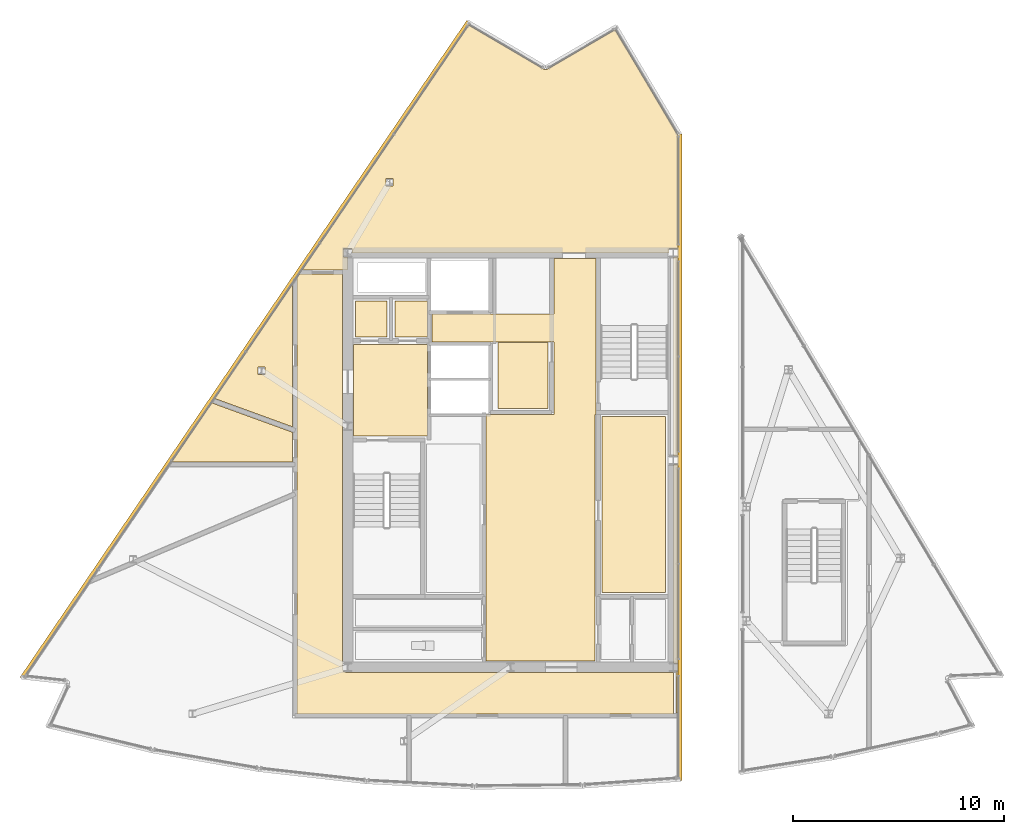
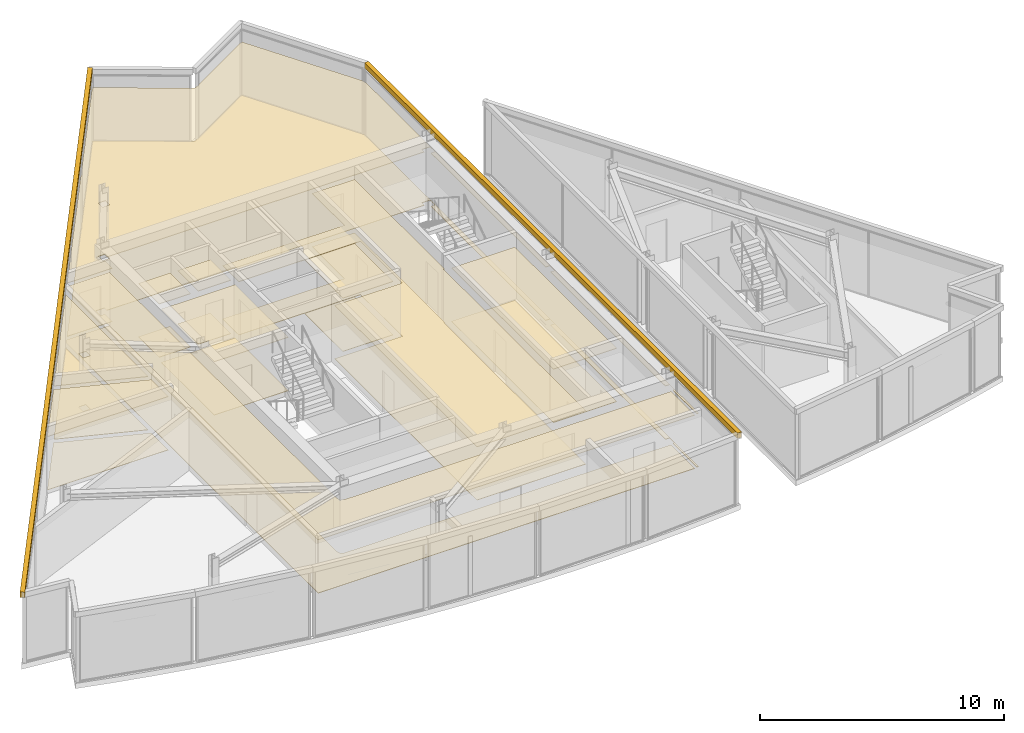
# One storey, part 12 of 15: 22 coverings.
"""IFC4 building model written with IfcOpenShell, lengths in metres."""

from ifc_helpers import new_model, si_unit, direction, frame, origin, place, context, subcontext, project, spatial, polyline, outline, extrude, material, layer, layer_set, type_object, element, save


model = new_model("IFC4")

# Units and contexts
model_context = context("Model", 3, precision=1e-05, world=origin(), true_north=direction((0.0, 1.0)))
body_context = subcontext(model_context, "Body", "Model", "MODEL_VIEW")
ifc_project = project(units=[si_unit("LENGTHUNIT", "METRE"), si_unit("AREAUNIT", "SQUARE_METRE"), si_unit("VOLUMEUNIT", "CUBIC_METRE"), si_unit("PLANEANGLEUNIT", "RADIAN"), si_unit("MASSUNIT", "GRAM", prefix="KILO")], contexts=[model_context])

# Site, building, storey
site_placement = place(None, origin())
site = spatial("IfcSite", under=ifc_project, at=site_placement, CompositionType="ELEMENT")
building_placement = place(site_placement, origin())
building = spatial("IfcBuilding", under=site, at=building_placement, Name="Savorim Split Tower", CompositionType="ELEMENT")
storey_placement = place(building_placement, frame((0.0, 0.0, 304.800048828125)))
storey = spatial("IfcBuildingStorey", under=building, at=storey_placement, Name="Crown L81 Plant", CompositionType="ELEMENT", Elevation=304.800048828125)

# Coverings
ifc_material_1 = material(Name="Mineral Fibre Acoustic Ceiling")
ifc_layer_1 = layer(ifc_material_1, 0.02490234375)
ifc_layer_set_1 = layer_set([ifc_layer_1], Name="COV-CEIL-25")
covering_type_1 = type_object("IfcCoveringType", Name="COV-CEIL-25", PredefinedType="CEILING", material=ifc_layer_set_1)
covering_1_placement = place(storey_placement, frame((0.0, 0.0, 2.659912109375)))
element("IfcCovering", 1, at=covering_1_placement, inside=storey, type_object=covering_type_1, Name="Crown L81 Plant Crown Stair Lobby Acoustic Ceiling", PredefinedType="CEILING", context=body_context, shape_type="SweptSolid", body=[
    extrude(outline(polyline([(-7.429931640625, 5.8701171875), (-7.429931640625, 1.530029296875), (-3.929931640625, 1.530029296875), (-3.929931640625, 5.8701171875), (-7.429931640625, 5.8701171875)])), origin(), (0.0, 0.0, 1.0), 0.025146484375),
])
covering_2_placement = place(storey_placement, frame((0.0, 0.0, 2.659912109375)))
element("IfcCovering", 2, at=covering_2_placement, inside=storey, type_object=covering_type_1, Name="Crown L81 Plant Electrical Riser Acoustic Ceiling", PredefinedType="CEILING", context=body_context, shape_type="SweptSolid", body=[
    extrude(outline(polyline([(-7.320068359375, 7.919921875), (-7.320068359375, 6.22998046875), (-5.830078125, 6.22998046875), (-5.830078125, 7.919921875), (-7.320068359375, 7.919921875)])), origin(), (0.0, 0.0, 1.0), 0.025146484375),
])
covering_3_placement = place(storey_placement, frame((0.0, 0.0, 2.659912109375)))
element("IfcCovering", 3, at=covering_3_placement, inside=storey, type_object=covering_type_1, Name="Crown L81 Plant Telecom Riser Acoustic Ceiling", PredefinedType="CEILING", context=body_context, shape_type="SweptSolid", body=[
    extrude(outline(polyline([(-5.469970703125, 7.919921875), (-5.469970703125, 6.22998046875), (-3.929931640625, 6.22998046875), (-3.929931640625, 7.919921875), (-5.469970703125, 7.919921875)])), origin(), (0.0, 0.0, 1.0), 0.025146484375),
])
covering_4_placement = place(storey_placement, frame((0.0, 0.0, 2.659912109375)))
element("IfcCovering", 4, at=covering_4_placement, inside=storey, type_object=covering_type_1, Name="Crown L81 Plant Lift Lobby Acoustic Ceiling", PredefinedType="CEILING", context=body_context, shape_type="SweptSolid", body=[
    extrude(outline(polyline([(2.050048828125, 2.550048828125), (-1.14990234375, 2.550048828125), (-1.14990234375, -9.10009765625), (4.0, -9.10009765625), (4.0, 2.550048828125), (4.050048828125, 2.550048828125), (4.050048828125, 5.97998046875), (4.050048828125, 7.300048828125), (4.050048828125, 9.929931640625), (2.050048828125, 9.929931640625), (2.050048828125, 7.300048828125), (-3.699951171875, 7.300048828125), (-3.699951171875, 5.97998046875), (2.050048828125, 5.97998046875), (2.050048828125, 2.550048828125)])), origin(), (0.0, 0.0, 1.0), 0.025146484375),
])
covering_5_placement = place(storey_placement, frame((0.0, 0.0, 2.659912109375)))
element("IfcCovering", 5, at=covering_5_placement, inside=storey, type_object=covering_type_1, Name="Crown L81 Plant Substructure Core Store East Acoustic Ceiling", PredefinedType="CEILING", context=body_context, shape_type="SweptSolid", body=[
    extrude(outline(polyline([(4.330078125, 2.469970703125), (4.330078125, -5.8701171875), (7.320068359375, -5.8701171875), (7.320068359375, 2.469970703125), (4.330078125, 2.469970703125)])), origin(), (0.0, 0.0, 1.0), 0.025146484375),
])
covering_6_placement = place(storey_placement, frame((0.0, 0.0, 2.659912109375)))
element("IfcCovering", 6, at=covering_6_placement, inside=storey, type_object=covering_type_1, Name="Crown L81 Plant Crown BMS Plant Room Acoustic Ceiling", PredefinedType="CEILING", context=body_context, shape_type="SweptSolid", body=[
    extrude(outline(polyline([(1.77001953125, 5.969970703125), (-0.60009765625, 5.969970703125), (-0.60009765625, 2.830078125), (1.77001953125, 2.830078125), (1.77001953125, 5.969970703125)])), origin(), (0.0, 0.0, 1.0), 0.025146484375),
])
covering_7_placement = place(storey_placement, frame((0.0, 0.0, 2.659912109375)))
element("IfcCovering", 7, at=covering_7_placement, inside=storey, type_object=covering_type_1, Name="Crown L81 Plant Plant Corridor Acoustic Ceiling", PredefinedType="CEILING", context=body_context, shape_type="SweptSolid", body=[
    extrude(outline(polyline([(-10.10009765625, -11.60009765625), (-7.699951171875, -11.60009765625), (7.699951171875, -11.60009765625), (7.699951171875, -9.64990234375), (-7.699951171875, -9.64990234375), (-7.724609375, -9.648681640625), (-7.748779296875, -9.645263671875), (-7.772705078125, -9.63916015625), (-7.795654296875, -9.631103515625), (-7.81787109375, -9.62060546875), (-7.8388671875, -9.60791015625), (-7.85498046875, -9.595947265625), (-7.89697265625, -9.595947265625), (-7.89697265625, -9.553466796875), (-7.907958984375, -9.538818359375), (-7.92041015625, -9.517822265625), (-7.930908203125, -9.49560546875), (-7.939208984375, -9.47265625), (-7.9453125, -9.44873046875), (-7.94873046875, -9.424560546875), (-7.949951171875, -9.39990234375), (-7.949951171875, 9.199951171875), (-9.97998046875, 9.199951171875), (-10.10009765625, 9.0234375), (-10.10009765625, -9.39990234375), (-10.10009765625, -11.60009765625)])), origin(), (0.0, 0.0, 1.0), 0.025146484375),
])
covering_8_placement = place(storey_placement, frame((0.0, 0.0, 2.659912109375)))
element("IfcCovering", 8, at=covering_8_placement, inside=storey, type_object=covering_type_1, Name="Crown L81 Plant Heat Recovery Plant Room Acoustic Ceiling", PredefinedType="CEILING", context=body_context, shape_type="SweptSolid", body=[
    extrude(outline(polyline([(1.600830078125, 18.873046875), (1.5888671875, 18.87939453125), (-1.9716796875, 20.971923828125), (-9.843994140625, 9.39990234375), (-7.699951171875, 9.39990234375), (-7.699951171875, 10.00390625), (-7.89697265625, 10.00390625), (-7.89697265625, 10.39599609375), (-7.5029296875, 10.39599609375), (-7.5029296875, 10.199951171875), (7.5029296875, 10.199951171875), (7.5029296875, 10.39599609375), (7.89697265625, 10.39599609375), (7.89697265625, 10.00390625), (7.699951171875, 10.00390625), (7.699951171875, 0.595947265625), (7.89697265625, 0.595947265625), (7.89697265625, 0.2041015625), (7.699951171875, 0.2041015625), (7.699951171875, -9.2041015625), (7.89697265625, -9.2041015625), (7.89697265625, -9.595947265625), (7.820068359375, -9.595947265625), (7.820068359375, -11.56005859375), (7.909912109375, -11.56005859375), (7.909912109375, 15.77392578125), (4.948486328125, 20.754638671875), (1.730224609375, 18.879150390625), (1.71826171875, 18.872802734375), (1.705810546875, 18.867919921875), (1.69287109375, 18.864013671875), (1.6796875, 18.861572265625), (1.666259765625, 18.8603515625), (1.65283203125, 18.8603515625), (1.639404296875, 18.861572265625), (1.626220703125, 18.8642578125), (1.61328125, 18.8681640625), (1.600830078125, 18.873046875)]), holes=[polyline([(-5.545166015625, 13.71728515625), (-5.875244140625, 13.71728515625), (-5.875244140625, 13.3671875), (-5.545166015625, 13.3671875), (-5.545166015625, 13.71728515625)])]), origin(), (0.0, 0.0, 1.0), 0.025146484375),
])
covering_9_placement = place(storey_placement, frame((0.0, 0.0, 2.659912109375)))
element("IfcCovering", 9, at=covering_9_placement, inside=storey, type_object=covering_type_1, Name="Crown L81 Plant HV Switchgear Plant Room Acoustic Ceiling", PredefinedType="CEILING", context=body_context, shape_type="SweptSolid", body=[
    extrude(outline(polyline([(-13.984130859375, 3.313720703125), (-10.300048828125, 1.971435546875), (-10.300048828125, 8.7294921875), (-13.984130859375, 3.313720703125)]), holes=[polyline([(-11.6103515625, 4.451904296875), (-11.6103515625, 4.8017578125), (-11.940185546875, 4.8017578125), (-11.940185546875, 4.451904296875), (-11.6103515625, 4.451904296875)])]), origin(), (0.0, 0.0, 1.0), 0.025146484375),
])
covering_10_placement = place(storey_placement, frame((0.0, 0.0, 2.659912109375)))
element("IfcCovering", 10, at=covering_10_placement, inside=storey, type_object=covering_type_1, Name="Crown L81 Plant AHU Mechanical Plant Room Acoustic Ceiling", PredefinedType="CEILING", context=body_context, shape_type="SweptSolid", body=[
    extrude(outline(polyline([(-10.300048828125, 0.320068359375), (-10.300048828125, 1.716064453125), (-14.123291015625, 3.109130859375), (-16.020751953125, 0.320068359375), (-10.300048828125, 0.320068359375)])), origin(), (0.0, 0.0, 1.0), 0.025146484375),
])
ifc_material_2 = material(Name="Terracotta Ceramic-Coated Aluminium Fin", Category="masonry")
ifc_layer_2 = layer(ifc_material_2, 0.050048828125)
ifc_layer_set_2 = layer_set([ifc_layer_2], Name="COV-CLAD-TERRA")
covering_type_2 = type_object("IfcCoveringType", Name="COV-CLAD-TERRA", PredefinedType="CLADDING", material=ifc_layer_set_2)
covering_11_placement = place(storey_placement, frame((0.0, 0.0, 3.33984375)))
element("IfcCovering", 11, at=covering_11_placement, inside=storey, type_object=covering_type_2, Name="Crown L81 Plant Sloped Crest Eave Spandrel W1", PredefinedType="CLADDING", context=body_context, shape_type="SweptSolid", body=[
    extrude(outline(polyline([(8.110107421875, -14.73583984375), (8.110107421875, 15.8125), (7.909912109375, 15.8125), (7.909912109375, -14.73583984375), (8.110107421875, -14.73583984375)])), origin(), (0.0, 0.0, 1.0), 0.260009765625),
])
covering_12_placement = place(storey_placement, frame((0.0, 0.0, 3.33984375)))
element("IfcCovering", 12, at=covering_12_placement, inside=storey, type_object=covering_type_2, Name="Crown L81 Plant Sloped Crest Eave Spandrel W5", PredefinedType="CLADDING", context=body_context, shape_type="SweptSolid", body=[
    extrude(outline(polyline([(-2.063232421875, 21.19287109375), (-23.1904296875, -9.863525390625), (-23.02490234375, -9.97607421875), (-1.89794921875, 21.080322265625), (-2.063232421875, 21.19287109375)])), origin(), (0.0, 0.0, 1.0), 0.260009765625),
])
ifc_material_3 = material(Name="Porcelain Stoneware Flooring", Category="masonry")
ifc_layer_3 = layer(ifc_material_3, 0.02001953125)
ifc_layer_set_3 = layer_set([ifc_layer_3], Name="COV-FLOR-20")
covering_type_3 = type_object("IfcCoveringType", Name="COV-FLOR-20", PredefinedType="FLOORING", material=ifc_layer_set_3)
covering_13_placement = place(storey_placement, origin())
element("IfcCovering", 13, at=covering_13_placement, inside=storey, type_object=covering_type_3, Name="Crown L81 Plant Crown Stair Lobby Porcelain Flooring", PredefinedType="FLOORING", context=body_context, shape_type="SweptSolid", body=[
    extrude(outline(polyline([(-7.429931640625, 5.8701171875), (-7.429931640625, 1.530029296875), (-3.929931640625, 1.530029296875), (-3.929931640625, 5.8701171875), (-7.429931640625, 5.8701171875)])), origin(), (0.0, 0.0, 1.0), 0.02001953125),
])
covering_14_placement = place(storey_placement, origin())
element("IfcCovering", 14, at=covering_14_placement, inside=storey, type_object=covering_type_3, Name="Crown L81 Plant Electrical Riser Porcelain Flooring", PredefinedType="FLOORING", context=body_context, shape_type="SweptSolid", body=[
    extrude(outline(polyline([(-7.320068359375, 7.919921875), (-7.320068359375, 6.22998046875), (-5.830078125, 6.22998046875), (-5.830078125, 7.919921875), (-7.320068359375, 7.919921875)])), origin(), (0.0, 0.0, 1.0), 0.02001953125),
])
covering_15_placement = place(storey_placement, origin())
element("IfcCovering", 15, at=covering_15_placement, inside=storey, type_object=covering_type_3, Name="Crown L81 Plant Telecom Riser Porcelain Flooring", PredefinedType="FLOORING", context=body_context, shape_type="SweptSolid", body=[
    extrude(outline(polyline([(-5.469970703125, 7.919921875), (-5.469970703125, 6.22998046875), (-3.929931640625, 6.22998046875), (-3.929931640625, 7.919921875), (-5.469970703125, 7.919921875)])), origin(), (0.0, 0.0, 1.0), 0.02001953125),
])
covering_16_placement = place(storey_placement, origin())
element("IfcCovering", 16, at=covering_16_placement, inside=storey, type_object=covering_type_3, Name="Crown L81 Plant Lift Lobby Porcelain Flooring", PredefinedType="FLOORING", context=body_context, shape_type="SweptSolid", body=[
    extrude(outline(polyline([(2.050048828125, 2.550048828125), (-1.14990234375, 2.550048828125), (-1.14990234375, -9.10009765625), (4.0, -9.10009765625), (4.0, 2.550048828125), (4.050048828125, 2.550048828125), (4.050048828125, 5.97998046875), (4.050048828125, 7.300048828125), (4.050048828125, 9.929931640625), (2.050048828125, 9.929931640625), (2.050048828125, 7.300048828125), (-3.699951171875, 7.300048828125), (-3.699951171875, 5.97998046875), (2.050048828125, 5.97998046875), (2.050048828125, 2.550048828125)])), origin(), (0.0, 0.0, 1.0), 0.02001953125),
])
covering_17_placement = place(storey_placement, origin())
element("IfcCovering", 17, at=covering_17_placement, inside=storey, type_object=covering_type_3, Name="Crown L81 Plant Substructure Core Store East Porcelain Flooring", PredefinedType="FLOORING", context=body_context, shape_type="SweptSolid", body=[
    extrude(outline(polyline([(4.330078125, 2.469970703125), (4.330078125, -5.8701171875), (7.320068359375, -5.8701171875), (7.320068359375, 2.469970703125), (4.330078125, 2.469970703125)])), origin(), (0.0, 0.0, 1.0), 0.02001953125),
])
covering_18_placement = place(storey_placement, origin())
element("IfcCovering", 18, at=covering_18_placement, inside=storey, type_object=covering_type_3, Name="Crown L81 Plant Crown BMS Plant Room Porcelain Flooring", PredefinedType="FLOORING", context=body_context, shape_type="SweptSolid", body=[
    extrude(outline(polyline([(1.77001953125, 5.969970703125), (-0.60009765625, 5.969970703125), (-0.60009765625, 2.830078125), (1.77001953125, 2.830078125), (1.77001953125, 5.969970703125)])), origin(), (0.0, 0.0, 1.0), 0.02001953125),
])
covering_19_placement = place(storey_placement, origin())
element("IfcCovering", 19, at=covering_19_placement, inside=storey, type_object=covering_type_3, Name="Crown L81 Plant Plant Corridor Porcelain Flooring", PredefinedType="FLOORING", context=body_context, shape_type="SweptSolid", body=[
    extrude(outline(polyline([(-10.10009765625, -11.60009765625), (-7.699951171875, -11.60009765625), (7.699951171875, -11.60009765625), (7.699951171875, -9.64990234375), (-7.699951171875, -9.64990234375), (-7.724609375, -9.648681640625), (-7.748779296875, -9.645263671875), (-7.772705078125, -9.63916015625), (-7.795654296875, -9.631103515625), (-7.81787109375, -9.62060546875), (-7.8388671875, -9.60791015625), (-7.85498046875, -9.595947265625), (-7.89697265625, -9.595947265625), (-7.89697265625, -9.553466796875), (-7.907958984375, -9.538818359375), (-7.92041015625, -9.517822265625), (-7.930908203125, -9.49560546875), (-7.939208984375, -9.47265625), (-7.9453125, -9.44873046875), (-7.94873046875, -9.424560546875), (-7.949951171875, -9.39990234375), (-7.949951171875, 9.199951171875), (-9.97998046875, 9.199951171875), (-10.10009765625, 9.0234375), (-10.10009765625, -9.39990234375), (-10.10009765625, -11.60009765625)])), origin(), (0.0, 0.0, 1.0), 0.02001953125),
])
covering_20_placement = place(storey_placement, origin())
element("IfcCovering", 20, at=covering_20_placement, inside=storey, type_object=covering_type_3, Name="Crown L81 Plant Heat Recovery Plant Room Porcelain Flooring", PredefinedType="FLOORING", context=body_context, shape_type="SweptSolid", body=[
    extrude(outline(polyline([(1.600830078125, 18.873046875), (1.5888671875, 18.87939453125), (-1.9716796875, 20.971923828125), (-9.843994140625, 9.39990234375), (-7.699951171875, 9.39990234375), (-7.699951171875, 10.00390625), (-7.89697265625, 10.00390625), (-7.89697265625, 10.39599609375), (-7.5029296875, 10.39599609375), (-7.5029296875, 10.199951171875), (7.5029296875, 10.199951171875), (7.5029296875, 10.39599609375), (7.89697265625, 10.39599609375), (7.89697265625, 10.00390625), (7.699951171875, 10.00390625), (7.699951171875, 0.595947265625), (7.89697265625, 0.595947265625), (7.89697265625, 0.2041015625), (7.699951171875, 0.2041015625), (7.699951171875, -9.2041015625), (7.89697265625, -9.2041015625), (7.89697265625, -9.595947265625), (7.820068359375, -9.595947265625), (7.820068359375, -11.56005859375), (7.909912109375, -11.56005859375), (7.909912109375, 15.77392578125), (4.948486328125, 20.754638671875), (1.730224609375, 18.879150390625), (1.71826171875, 18.872802734375), (1.705810546875, 18.867919921875), (1.69287109375, 18.864013671875), (1.6796875, 18.861572265625), (1.666259765625, 18.8603515625), (1.65283203125, 18.8603515625), (1.639404296875, 18.861572265625), (1.626220703125, 18.8642578125), (1.61328125, 18.8681640625), (1.600830078125, 18.873046875)]), holes=[polyline([(-5.545166015625, 13.71728515625), (-5.875244140625, 13.71728515625), (-5.875244140625, 13.3671875), (-5.545166015625, 13.3671875), (-5.545166015625, 13.71728515625)])]), origin(), (0.0, 0.0, 1.0), 0.02001953125),
])
covering_21_placement = place(storey_placement, origin())
element("IfcCovering", 21, at=covering_21_placement, inside=storey, type_object=covering_type_3, Name="Crown L81 Plant HV Switchgear Plant Room Porcelain Flooring", PredefinedType="FLOORING", context=body_context, shape_type="SweptSolid", body=[
    extrude(outline(polyline([(-13.984130859375, 3.313720703125), (-10.300048828125, 1.971435546875), (-10.300048828125, 8.7294921875), (-13.984130859375, 3.313720703125)]), holes=[polyline([(-11.6103515625, 4.451904296875), (-11.6103515625, 4.8017578125), (-11.940185546875, 4.8017578125), (-11.940185546875, 4.451904296875), (-11.6103515625, 4.451904296875)])]), origin(), (0.0, 0.0, 1.0), 0.02001953125),
])
covering_22_placement = place(storey_placement, origin())
element("IfcCovering", 22, at=covering_22_placement, inside=storey, type_object=covering_type_3, Name="Crown L81 Plant AHU Mechanical Plant Room Porcelain Flooring", PredefinedType="FLOORING", context=body_context, shape_type="SweptSolid", body=[
    extrude(outline(polyline([(-10.300048828125, 0.320068359375), (-10.300048828125, 1.716064453125), (-14.123291015625, 3.109130859375), (-16.020751953125, 0.320068359375), (-10.300048828125, 0.320068359375)])), origin(), (0.0, 0.0, 1.0), 0.02001953125),
])

save(model, "model.ifc")
